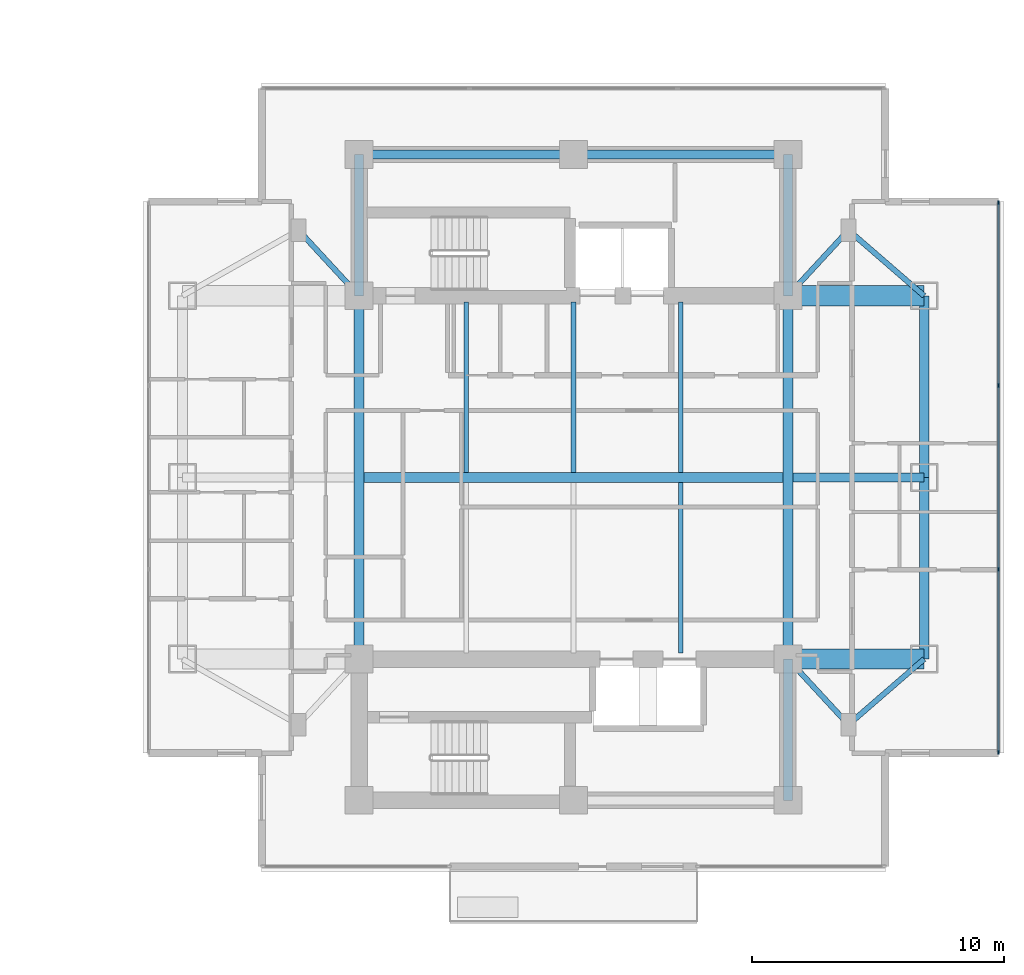
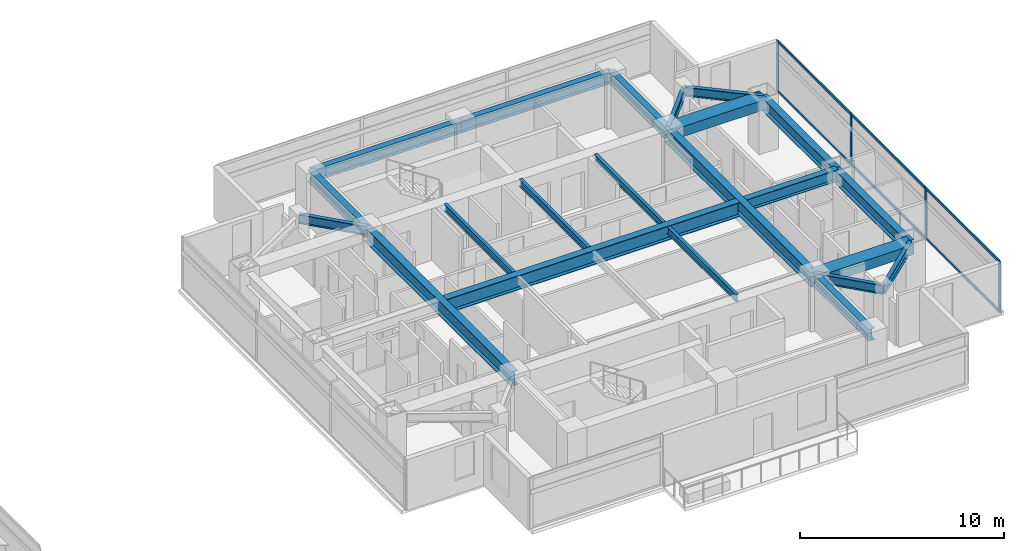
# One storey, part 10 of 24: 22 beams, 10 members, 1 element without a shape of its own.
"""IFC4 building model written with IfcOpenShell, lengths in metres."""

from ifc_helpers import new_model, si_unit, direction, frame, origin, origin_2d, place, context, subcontext, project, spatial, rectangle, i_section, extrude, material, material_profile, profile_set, type_object, element, aggregate, save


model = new_model("IFC4")

# Units and contexts
model_context = context("Model", 3, precision=1e-05, world=origin(), true_north=direction((0.0, 1.0)))
body_context = subcontext(model_context, "Body", "Model", "MODEL_VIEW")
ifc_project = project(units=[si_unit("LENGTHUNIT", "METRE"), si_unit("AREAUNIT", "SQUARE_METRE"), si_unit("VOLUMEUNIT", "CUBIC_METRE"), si_unit("PLANEANGLEUNIT", "RADIAN"), si_unit("MASSUNIT", "GRAM", prefix="KILO")], contexts=[model_context])

# Site, building, storey
site_placement = place(None, origin())
site = spatial("IfcSite", under=ifc_project, at=site_placement, CompositionType="ELEMENT")
building_placement = place(site_placement, origin())
building = spatial("IfcBuilding", under=site, at=building_placement, Name="Mirazonda Arch Towers", CompositionType="ELEMENT")
storey_placement = place(building_placement, frame((0.0, 0.0, 118.10009765625)))
storey = spatial("IfcBuildingStorey", under=building, at=storey_placement, Name="L33", CompositionType="ELEMENT", Elevation=118.10009765625)

# Beams
ifc_material_1 = material(Name="Steel ASTM A992 Grade 50", Category="steel")
ifc_material_profile_1 = material_profile(ifc_material_1, i_section(OverallWidth=0.381103515625, OverallDepth=0.77294921875, WebThickness=0.0166015625, FlangeThickness=0.027099609375, at=origin_2d()), Name="W30X173")
ifc_profile_set_1 = profile_set([ifc_material_profile_1], Name="Steel ASTM A992 Grade 50")
beam_type_1 = type_object("IfcBeamType", Name="BM-EXT-W30X173", PredefinedType="USERDEFINED", material=ifc_profile_set_1)
for number, where, z_axis, x_axis, name in (
    (1, (90.39990234375, 20.800048828125, 2.693359375), (0.0, 1.0, 0.0), (-1.0, 0.0, 0.0), "L33 Floor Beam BM-T2-L33-NS-E-20"),
    (2, (90.39990234375, 28.0, 2.693359375), (0.0, 1.0, 0.0), (-1.0, 0.0, 0.0), "L33 Floor Beam BM-T2-L33-NS-E-28"),
):
    element("IfcBeam", number, at=place(storey_placement, frame(where, z_axis=z_axis, x_axis=x_axis)), inside=storey, type_object=beam_type_1, Name=name, ObjectType="GIRDER", PredefinedType="USERDEFINED", context=body_context, shape_type="SweptSolid", body=[
        extrude(i_section(OverallWidth=0.381103515625, OverallDepth=0.77294921875, WebThickness=0.0166015625, FlangeThickness=0.027099609375, at=origin_2d()), origin(), (0.0, 0.0, 1.0), 7.199951171875),
    ])
ifc_material_profile_2 = material_profile(ifc_material_1, i_section(OverallWidth=0.180908203125, OverallDepth=0.4169921875, WebThickness=0.010986328125, FlangeThickness=0.018310546875, at=origin_2d()), Name="W16X57")
ifc_profile_set_2 = profile_set([ifc_material_profile_2], Name="Steel ASTM A992 Grade 50")
beam_type_2 = type_object("IfcBeamType", Name="BM-INT-W16X57", PredefinedType="JOIST", material=ifc_profile_set_2)
for number, where, z_axis, x_axis, name in (
    (3, (72.25, 28.196044921875, 2.871337890625), (0.0, 1.0, 0.0), (-1.0, 0.0, 0.0), "L33 Floor Beam BM-T2-L33-J-722-28"),
    (4, (76.5, 28.196044921875, 2.871337890625), (0.0, 1.0, 0.0), (-1.0, 0.0, 0.0), "L33 Floor Beam BM-T2-L33-J-765-28"),
    (5, (80.75, 21.0400390625, 2.871337890625), (0.0, 1.0, 0.0), (-1.0, 0.0, 0.0), "L33 Floor Beam BM-T2-L33-J-807-20"),
    (6, (80.75, 28.196044921875, 2.871337890625), (0.0, 1.0, 0.0), (-1.0, 0.0, 0.0), "L33 Floor Beam BM-T2-L33-J-807-28"),
):
    element("IfcBeam", number, at=place(storey_placement, frame(where, z_axis=z_axis, x_axis=x_axis)), inside=storey, type_object=beam_type_2, Name=name, PredefinedType="JOIST", context=body_context, shape_type="SweptSolid", body=[
        extrude(i_section(OverallWidth=0.180908203125, OverallDepth=0.4169921875, WebThickness=0.010986328125, FlangeThickness=0.018310546875, at=origin_2d()), origin(), (0.0, 0.0, 1.0), 6.763916015625),
    ])
ifc_material_profile_3 = material_profile(ifc_material_1, i_section(OverallWidth=0.214111328125, OverallDepth=0.549072265625, WebThickness=0.0146484375, FlangeThickness=0.023681640625, at=origin_2d()), Name="W21X93")
ifc_profile_set_3 = profile_set([ifc_material_profile_3], Name="Steel ASTM A992 Grade 50")
beam_type_3 = type_object("IfcBeamType", Name="BM-INT-W21X93", PredefinedType="BEAM", material=ifc_profile_set_3)
beam_1_placement = place(storey_placement, frame((87.39990234375, 18.199951171875, 2.805419921875), z_axis=(-0.678251444854, 0.734829897019, 0.0), x_axis=(-0.734829897019, -0.678251444854, 0.0)))
element("IfcBeam", 7, at=beam_1_placement, inside=storey, type_object=beam_type_3, Name="L33 Floor Beam BM-T2-L33-PL-SE1", PredefinedType="BEAM", context=body_context, shape_type="SweptSolid", body=[
    extrude(i_section(OverallWidth=0.214111328125, OverallDepth=0.549072265625, WebThickness=0.0146484375, FlangeThickness=0.023681640625, at=origin_2d()), origin(), (0.0, 0.0, 1.0), 3.538330078125),
])
beam_2_placement = place(storey_placement, frame((87.39990234375, 18.199951171875, 2.805419921875), z_axis=(0.755676908098, 0.654944585876, 0.0), x_axis=(-0.654944585876, 0.755676908098, 0.0)))
element("IfcBeam", 8, at=beam_2_placement, inside=storey, type_object=beam_type_3, Name="L33 Floor Beam BM-T2-L33-PL-SE2", PredefinedType="BEAM", context=body_context, shape_type="SweptSolid", body=[
    extrude(i_section(OverallWidth=0.214111328125, OverallDepth=0.549072265625, WebThickness=0.0146484375, FlangeThickness=0.023681640625, at=origin_2d()), origin(), (0.0, 0.0, 1.0), 3.969970703125),
])
for number, where, z_axis, x_axis, name in (
    (9, (65.60009765625, 37.800048828125, 2.805419921875), (0.678251444854, -0.734829897019, 0.0), (0.734829897019, 0.678251444854, 0.0), "L33 Floor Beam BM-T2-L33-PL-NW1"),
    (10, (87.39990234375, 37.800048828125, 2.805419921875), (-0.678251444854, -0.734829897019, 0.0), (0.734829897019, -0.678251444854, 0.0), "L33 Floor Beam BM-T2-L33-PL-NE1"),
):
    element("IfcBeam", number, at=place(storey_placement, frame(where, z_axis=z_axis, x_axis=x_axis)), inside=storey, type_object=beam_type_3, Name=name, PredefinedType="BEAM", context=body_context, shape_type="SweptSolid", body=[
        extrude(i_section(OverallWidth=0.214111328125, OverallDepth=0.549072265625, WebThickness=0.0146484375, FlangeThickness=0.023681640625, at=origin_2d()), origin(), (0.0, 0.0, 1.0), 3.538330078125),
    ])
beam_3_placement = place(storey_placement, frame((87.39990234375, 37.800048828125, 2.805419921875), z_axis=(0.755676908098, -0.654944585876, 0.0), x_axis=(0.654944585876, 0.755676908098, 0.0)))
element("IfcBeam", 11, at=beam_3_placement, inside=storey, type_object=beam_type_3, Name="L33 Floor Beam BM-T2-L33-PL-NE2", PredefinedType="BEAM", context=body_context, shape_type="SweptSolid", body=[
    extrude(i_section(OverallWidth=0.214111328125, OverallDepth=0.549072265625, WebThickness=0.0146484375, FlangeThickness=0.023681640625, at=origin_2d()), origin(), (0.0, 0.0, 1.0), 3.969970703125),
])
ifc_material_profile_4 = material_profile(ifc_material_1, i_section(OverallWidth=0.35498046875, OverallDepth=0.696044921875, WebThickness=0.015380859375, FlangeThickness=0.02490234375, at=origin_2d()), Name="W27X146")
ifc_profile_set_4 = profile_set([ifc_material_profile_4], Name="Steel ASTM A992 Grade 50")
beam_type_4 = type_object("IfcBeamType", Name="BM-INT-W27X146", PredefinedType="BEAM", material=ifc_profile_set_4)
for number, where, z_axis, x_axis, name in (
    (12, (68.0, 40.800048828125, 2.73193359375), (1.0, 0.0, 0.0), (0.0, 1.0, 0.0), "L33 Floor Beam BM-T2-L33-CN1"),
    (13, (76.5, 40.800048828125, 2.73193359375), (1.0, 0.0, 0.0), (0.0, 1.0, 0.0), "L33 Floor Beam BM-T2-L33-CN2"),
):
    element("IfcBeam", number, at=place(storey_placement, frame(where, z_axis=z_axis, x_axis=x_axis)), inside=storey, type_object=beam_type_4, Name=name, PredefinedType="BEAM", context=body_context, shape_type="SweptSolid", body=[
        extrude(i_section(OverallWidth=0.35498046875, OverallDepth=0.696044921875, WebThickness=0.015380859375, FlangeThickness=0.02490234375, at=origin_2d()), origin(), (0.0, 0.0, 1.0), 8.5),
    ])
for number, where, z_axis, x_axis, name in (
    (14, (85.0, 15.199951171875, 2.73193359375), (0.0, 1.0, 0.0), (-1.0, 0.0, 0.0), "L33 Floor Beam BM-T2-L33-CSE"),
    (15, (68.0, 35.199951171875, 2.73193359375), (0.0, 1.0, 0.0), (-1.0, 0.0, 0.0), "L33 Floor Beam BM-T2-L33-CNW"),
    (16, (85.0, 35.199951171875, 2.73193359375), (0.0, 1.0, 0.0), (-1.0, 0.0, 0.0), "L33 Floor Beam BM-T2-L33-CNE"),
):
    element("IfcBeam", number, at=place(storey_placement, frame(where, z_axis=z_axis, x_axis=x_axis)), inside=storey, type_object=beam_type_4, Name=name, PredefinedType="BEAM", context=body_context, shape_type="SweptSolid", body=[
        extrude(i_section(OverallWidth=0.35498046875, OverallDepth=0.696044921875, WebThickness=0.015380859375, FlangeThickness=0.02490234375, at=origin_2d()), origin(), (0.0, 0.0, 1.0), 5.60009765625),
    ])
beam_4_placement = place(storey_placement, frame((85.199951171875, 28.0, 2.73193359375), z_axis=(1.0, 0.0, 0.0), x_axis=(0.0, 1.0, 0.0)))
element("IfcBeam", 17, at=beam_4_placement, inside=storey, type_object=beam_type_4, Name="L33 Floor Beam BM-T2-L33-GE2", PredefinedType="BEAM", context=body_context, shape_type="SweptSolid", body=[
    extrude(i_section(OverallWidth=0.35498046875, OverallDepth=0.696044921875, WebThickness=0.015380859375, FlangeThickness=0.02490234375, at=origin_2d()), origin(), (0.0, 0.0, 1.0), 5.199951171875),
])
ifc_material_profile_5 = material_profile(ifc_material_1, i_section(OverallWidth=0.39990234375, OverallDepth=0.85595703125, WebThickness=0.018310546875, FlangeThickness=0.029296875, at=origin_2d()), Name="W33X201")
ifc_profile_set_5 = profile_set([ifc_material_profile_5], Name="Steel ASTM A992 Grade 50")
beam_type_5 = type_object("IfcBeamType", Name="BM-INT-W33X201", PredefinedType="USERDEFINED", material=ifc_profile_set_5)
beam_5_placement = place(storey_placement, frame((68.199951171875, 28.0, 2.65185546875), z_axis=(1.0, 0.0, 0.0), x_axis=(0.0, 1.0, 0.0)))
element("IfcBeam", 18, at=beam_5_placement, inside=storey, type_object=beam_type_5, Name="L33 Floor Beam BM-T2-L33-GC2", ObjectType="GIRDER", PredefinedType="USERDEFINED", context=body_context, shape_type="SweptSolid", body=[
    extrude(i_section(OverallWidth=0.39990234375, OverallDepth=0.85595703125, WebThickness=0.018310546875, FlangeThickness=0.029296875, at=origin_2d()), origin(), (0.0, 0.0, 1.0), 16.60009765625),
])
for number, where, z_axis, x_axis, name in (
    (19, (68.0, 20.800048828125, 2.65185546875), (0.0, 1.0, 0.0), (-1.0, 0.0, 0.0), "L33 Floor Beam BM-T2-L33-NS-CW-FULL"),
    (20, (85.0, 20.800048828125, 2.65185546875), (0.0, 1.0, 0.0), (-1.0, 0.0, 0.0), "L33 Floor Beam BM-T2-L33-NS-CE-FULL"),
):
    element("IfcBeam", number, at=place(storey_placement, frame(where, z_axis=z_axis, x_axis=x_axis)), inside=storey, type_object=beam_type_5, Name=name, ObjectType="GIRDER", PredefinedType="USERDEFINED", context=body_context, shape_type="SweptSolid", body=[
        extrude(i_section(OverallWidth=0.39990234375, OverallDepth=0.85595703125, WebThickness=0.018310546875, FlangeThickness=0.029296875, at=origin_2d()), origin(), (0.0, 0.0, 1.0), 14.39990234375),
    ])
ifc_material_2 = material(Name="Concrete C60/75", Category="concrete")
ifc_material_profile_6 = material_profile(ifc_material_2, rectangle(XDim=0.800048828125, YDim=0.60009765625, at=origin_2d()), Name="RCCB800x600")
ifc_profile_set_6 = profile_set([ifc_material_profile_6], Name="Concrete C60/75")
beam_type_6 = type_object("IfcBeamType", Name="CB-INT-RCCB800x600", PredefinedType="SPANDREL", material=ifc_profile_set_6)
for number, where, z_axis, x_axis, name in (
    (21, (85.0, 35.199951171875, 2.77978515625), (1.0, 0.0, 0.0), (0.0, 1.0, 0.0), "L33 Floor Beam CBC-T2-L33-NE"),
    (22, (85.0, 20.800048828125, 2.77978515625), (1.0, 0.0, 0.0), (0.0, 1.0, 0.0), "L33 Floor Beam CBC-T2-L33-SE"),
):
    element("IfcBeam", number, at=place(storey_placement, frame(where, z_axis=z_axis, x_axis=x_axis)), inside=storey, type_object=beam_type_6, Name=name, PredefinedType="SPANDREL", context=body_context, shape_type="SweptSolid", body=[
        extrude(rectangle(XDim=0.800048828125, YDim=0.60009765625, at=origin_2d()), origin(), (0.0, 0.0, 1.0), 5.39990234375),
    ])

# Curtain wall, members
ifc_material_3 = material(Name="Anodised Aluminium and Low-E Glass", Category="aluminium")
curtain_wall_type = type_object("IfcCurtainWallType", Name="CW-HTL-UNIT", PredefinedType="NOTDEFINED", material=ifc_material_3)
curtain_wall_placement = place(storey_placement, origin())
curtain_wall = element("IfcCurtainWall", 23, at=curtain_wall_placement, inside=storey, type_object=curtain_wall_type, Name="L33 T2 E Facade CW-L33-T2-E", PredefinedType="NOTDEFINED")
ifc_material_4 = material(Name="Anodised Aluminium Alloy", Category="aluminium")
ifc_material_profile_7 = material_profile(ifc_material_4, rectangle(XDim=0.074951171875, YDim=0.1650390625, at=origin_2d()), Name="ALU-MULL-75x165")
ifc_profile_set_7 = profile_set([ifc_material_profile_7], Name="Anodised Aluminium Alloy")
member_type_1 = type_object("IfcMemberType", Name="MULL-CW-HTL-UNIT", PredefinedType="MULLION", material=ifc_profile_set_7)
member_1_placement = place(storey_placement, frame((93.344970703125, 17.10498046875, 0.0), z_axis=(0.0, 0.0, 1.0), x_axis=(-1.0, 0.0, 0.0)))
member_1 = element("IfcMember", 24, at=member_1_placement, type_object=member_type_1, Name="CW-112 mullion 1", PredefinedType="MULLION", context=body_context, shape_type="SweptSolid", body=[
    extrude(rectangle(XDim=0.074951171875, YDim=0.1650390625, at=origin_2d()), origin(), (0.0, 0.0, 1.0), 3.059814453125),
])
member_2_placement = place(storey_placement, frame((93.344970703125, 24.355712890625, 0.0), z_axis=(0.0, 0.0, 1.0), x_axis=(-1.0, 0.0, 0.0)))
member_2 = element("IfcMember", 25, at=member_2_placement, type_object=member_type_1, Name="CW-112 mullion 2", PredefinedType="MULLION", context=body_context, shape_type="SweptSolid", body=[
    extrude(rectangle(XDim=0.074951171875, YDim=0.1650390625, at=origin_2d()), origin(), (0.0, 0.0, 1.0), 3.059814453125),
])
member_3_placement = place(storey_placement, frame((93.344970703125, 31.644287109375, 0.0), z_axis=(0.0, 0.0, 1.0), x_axis=(-1.0, 0.0, 0.0)))
member_3 = element("IfcMember", 26, at=member_3_placement, type_object=member_type_1, Name="CW-112 mullion 3", PredefinedType="MULLION", context=body_context, shape_type="SweptSolid", body=[
    extrude(rectangle(XDim=0.074951171875, YDim=0.1650390625, at=origin_2d()), origin(), (0.0, 0.0, 1.0), 3.059814453125),
])
member_4_placement = place(storey_placement, frame((93.344970703125, 38.89501953125, 0.0), z_axis=(0.0, 0.0, 1.0), x_axis=(-1.0, 0.0, 0.0)))
member_4 = element("IfcMember", 27, at=member_4_placement, type_object=member_type_1, Name="CW-112 mullion 4", PredefinedType="MULLION", context=body_context, shape_type="SweptSolid", body=[
    extrude(rectangle(XDim=0.074951171875, YDim=0.1650390625, at=origin_2d()), origin(), (0.0, 0.0, 1.0), 3.059814453125),
])
ifc_material_profile_8 = material_profile(ifc_material_4, rectangle(XDim=0.074951171875, YDim=0.14501953125, at=origin_2d()), Name="ALU-TRAN-75x145")
ifc_profile_set_8 = profile_set([ifc_material_profile_8], Name="Anodised Aluminium Alloy")
member_type_2 = type_object("IfcMemberType", Name="TRAN-CW-HTL-UNIT", PredefinedType="USERDEFINED", material=ifc_profile_set_8)
member_5_placement = place(storey_placement, frame((93.344970703125, 17.142578125, 0.037353515625), z_axis=(0.0, 1.0, 0.0), x_axis=(-1.0, 0.0, 0.0)))
member_5 = element("IfcMember", 28, at=member_5_placement, type_object=member_type_2, Name="CW-112 transom 1.1", ObjectType="TRANSOM", PredefinedType="USERDEFINED", context=body_context, shape_type="SweptSolid", body=[
    extrude(rectangle(XDim=0.074951171875, YDim=0.14501953125, at=origin_2d()), origin(), (0.0, 0.0, 1.0), 7.17578125),
])
member_6_placement = place(storey_placement, frame((93.344970703125, 17.142578125, 3.0224609375), z_axis=(0.0, 1.0, 0.0), x_axis=(-1.0, 0.0, 0.0)))
member_6 = element("IfcMember", 29, at=member_6_placement, type_object=member_type_2, Name="CW-112 transom 1.2", ObjectType="TRANSOM", PredefinedType="USERDEFINED", context=body_context, shape_type="SweptSolid", body=[
    extrude(rectangle(XDim=0.074951171875, YDim=0.14501953125, at=origin_2d()), origin(), (0.0, 0.0, 1.0), 7.17578125),
])
member_7_placement = place(storey_placement, frame((93.344970703125, 24.393310546875, 0.037353515625), z_axis=(0.0, 1.0, 0.0), x_axis=(-1.0, 0.0, 0.0)))
member_7 = element("IfcMember", 30, at=member_7_placement, type_object=member_type_2, Name="CW-112 transom 2.1", ObjectType="TRANSOM", PredefinedType="USERDEFINED", context=body_context, shape_type="SweptSolid", body=[
    extrude(rectangle(XDim=0.074951171875, YDim=0.14501953125, at=origin_2d()), origin(), (0.0, 0.0, 1.0), 7.21337890625),
])
member_8_placement = place(storey_placement, frame((93.344970703125, 24.393310546875, 3.0224609375), z_axis=(0.0, 1.0, 0.0), x_axis=(-1.0, 0.0, 0.0)))
member_8 = element("IfcMember", 31, at=member_8_placement, type_object=member_type_2, Name="CW-112 transom 2.2", ObjectType="TRANSOM", PredefinedType="USERDEFINED", context=body_context, shape_type="SweptSolid", body=[
    extrude(rectangle(XDim=0.074951171875, YDim=0.14501953125, at=origin_2d()), origin(), (0.0, 0.0, 1.0), 7.21337890625),
])
member_9_placement = place(storey_placement, frame((93.344970703125, 31.681640625, 0.037353515625), z_axis=(0.0, 1.0, 0.0), x_axis=(-1.0, 0.0, 0.0)))
member_9 = element("IfcMember", 32, at=member_9_placement, type_object=member_type_2, Name="CW-112 transom 3.1", ObjectType="TRANSOM", PredefinedType="USERDEFINED", context=body_context, shape_type="SweptSolid", body=[
    extrude(rectangle(XDim=0.074951171875, YDim=0.14501953125, at=origin_2d()), origin(), (0.0, 0.0, 1.0), 7.17578125),
])
member_10_placement = place(storey_placement, frame((93.344970703125, 31.681640625, 3.0224609375), z_axis=(0.0, 1.0, 0.0), x_axis=(-1.0, 0.0, 0.0)))
member_10 = element("IfcMember", 33, at=member_10_placement, type_object=member_type_2, Name="CW-112 transom 3.2", ObjectType="TRANSOM", PredefinedType="USERDEFINED", context=body_context, shape_type="SweptSolid", body=[
    extrude(rectangle(XDim=0.074951171875, YDim=0.14501953125, at=origin_2d()), origin(), (0.0, 0.0, 1.0), 7.17578125),
])
aggregate(curtain_wall, [member_1, member_2, member_3, member_4, member_5, member_6, member_7, member_8, member_9, member_10])

save(model, "model.ifc")
